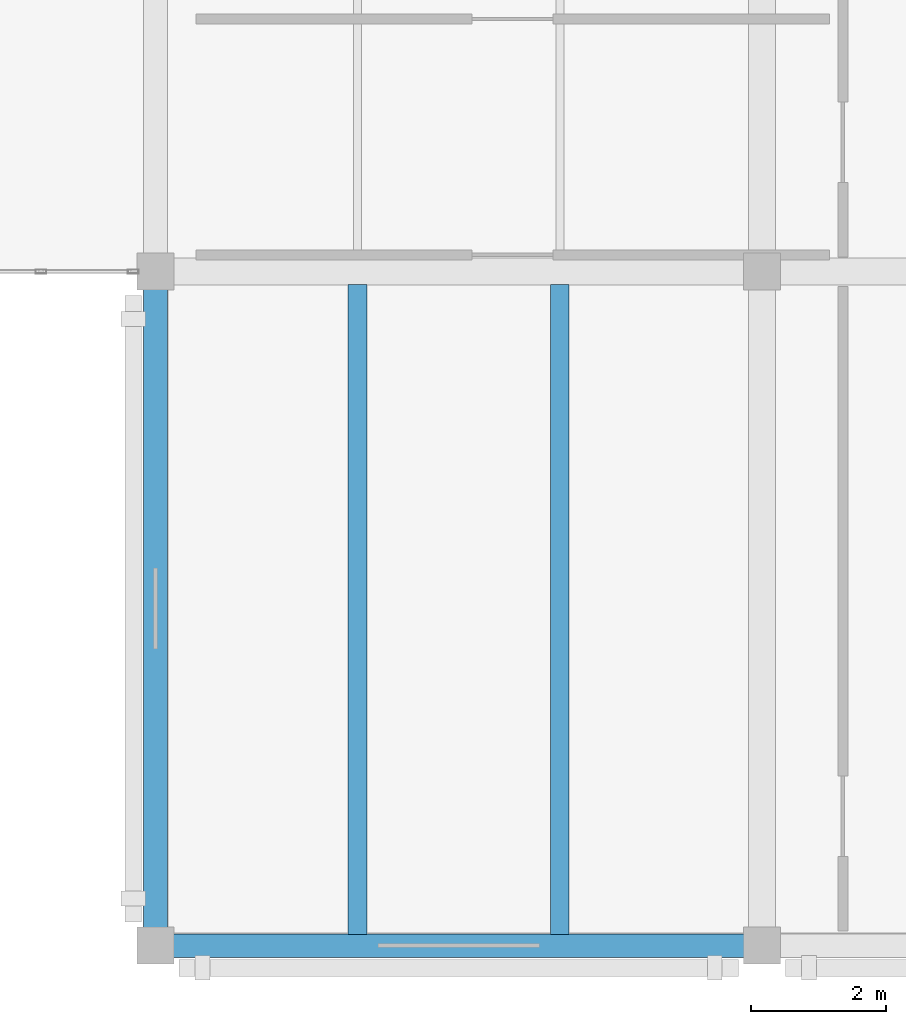
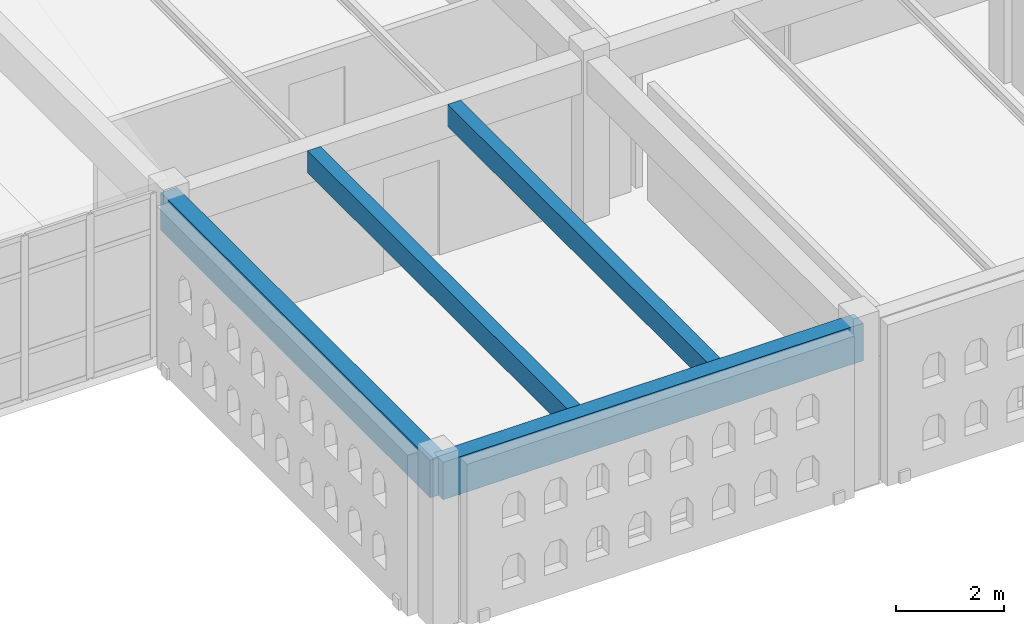
# One storey, part 75 of 156: 4 beams.
"""IFC4 building model written with IfcOpenShell, lengths in metres."""

import ifcopenshell
import ifcopenshell.guid

model = None  # the IFC model being written
_history = None  # IfcOwnerHistory: only IFC2X3 demands one
_inside = {}  # id of a spatial element -> (the spatial element, [elements in it])
_under = {}  # id of a project, library or spatial element -> (it, [spatial elements below it])
_declared = {}  # id of a project -> (the project, [libraries it declares])
_typed = {}  # id of a type object -> (the type object, [elements of that type])
_made_of = {}  # id of a material, layer set ... -> (it, [elements and type objects made of it])


def new_model(schema):
    """Start an empty IFC model of exactly this schema.

    Asked for "IFC4X3", IfcOpenShell would pick the latest addendum, in which some entities
    have other attributes; the version numbers below select the first issue.
    IFC2X3 requires an IfcOwnerHistory on every rooted entity: one is made here for all.
    """
    global model, _history
    if schema == "IFC4X3":
        model = ifcopenshell.file(schema_version=(4, 3, 0, 0))
    else:
        model = ifcopenshell.file(schema=schema)
    _inside.clear()
    _under.clear()
    _declared.clear()
    _typed.clear()
    _made_of.clear()
    _history = None
    if model.schema == "IFC2X3":
        org = make("IfcOrganization", Name="unknown")
        user = make(
            "IfcPersonAndOrganization",
            ThePerson=make("IfcPerson", FamilyName="unknown"),
            TheOrganization=org,
        )
        app = make(
            "IfcApplication",
            ApplicationDeveloper=org,
            Version="unknown",
            ApplicationFullName="unknown",
            ApplicationIdentifier="unknown",
        )
        _history = make(
            "IfcOwnerHistory",
            OwningUser=user,
            OwningApplication=app,
            ChangeAction="ADDED",
            CreationDate=0,
        )
    return model


def make(cls, **values):
    """One entity of the class cls with the attributes given. An attribute that is None is left unset."""
    return model.create_entity(
        cls, **{name: value for name, value in values.items() if value is not None}
    )


def rooted(cls, **values):
    """An entity with a GlobalId (a new one), such as an element, a storey or a relation."""
    return make(cls, GlobalId=ifcopenshell.guid.new(), OwnerHistory=_history, **values)


def si_unit(unit_type, name, prefix=None):
    """IfcSIUnit, for example si_unit("LENGTHUNIT", "METRE", prefix="MILLI")."""
    return make("IfcSIUnit", UnitType=unit_type, Prefix=prefix, Name=name)


def assignment(units):
    """IfcUnitAssignment: the units of a project."""
    return None if units is None else make("IfcUnitAssignment", Units=units)


def point(xyz):
    """IfcCartesianPoint."""
    return None if xyz is None else make("IfcCartesianPoint", Coordinates=xyz)


def direction(xyz):
    """IfcDirection."""
    return None if xyz is None else make("IfcDirection", DirectionRatios=xyz)


def frame(location, z_axis=None, x_axis=None):
    """IfcAxis2Placement3D, a coordinate frame: its origin and axes. An axis left out is left unset."""
    return make(
        "IfcAxis2Placement3D",
        Location=point(location),
        Axis=direction(z_axis),
        RefDirection=direction(x_axis),
    )


def frame_2d(location, x_axis=None):
    """IfcAxis2Placement2D, a coordinate frame in the plane: its origin and x axis."""
    return make(
        "IfcAxis2Placement2D", Location=point(location), RefDirection=direction(x_axis)
    )


def origin():
    """The frame at (0, 0, 0) with its axes left unset."""
    return frame((0.0, 0.0, 0.0))


def origin_2d():
    """The frame at (0, 0) in the plane with its x axis left unset."""
    return frame_2d((0.0, 0.0))


def place(relative_to, where):
    """IfcLocalPlacement: puts the frame where relative to a parent placement (None: the world)."""
    return make(
        "IfcLocalPlacement", PlacementRelTo=relative_to, RelativePlacement=where
    )


def context(
    kind, dimensions, precision=None, world=None, true_north=None, identifier=None
):
    """IfcGeometricRepresentationContext, for example the 3D "Model" context."""
    return make(
        "IfcGeometricRepresentationContext",
        ContextIdentifier=identifier,
        ContextType=kind,
        CoordinateSpaceDimension=dimensions,
        Precision=precision,
        WorldCoordinateSystem=world,
        TrueNorth=true_north,
    )


def subcontext(parent, identifier, kind, view, scale=None):
    """IfcGeometricRepresentationSubContext, for example "Body" below "Model"."""
    return make(
        "IfcGeometricRepresentationSubContext",
        ContextIdentifier=identifier,
        ContextType=kind,
        ParentContext=parent,
        TargetScale=scale,
        TargetView=view,
    )


def project(units=None, contexts=None):
    """IfcProject with its units and contexts."""
    return rooted(
        "IfcProject",
        Name="project",
        RepresentationContexts=contexts,
        UnitsInContext=assignment(units),
    )


def spatial(cls, under=None, at=None, **own):
    """A site, building, storey or space (cls), placed at a placement, below another one or the project."""
    s = rooted(cls, ObjectPlacement=at, **own)
    if under is not None:
        _under.setdefault(under.id(), (under, []))[1].append(s)
    return s


def profile(cls, at=None, kind="AREA", **sizes):
    """A parametric profile (cls). Its sizes go by their IFC names, for example OverallWidth=200.0."""
    return make(cls, ProfileType=kind, Position=at, **sizes)


def rectangle(**sizes):
    """IfcRectangleProfileDef."""
    return profile("IfcRectangleProfileDef", **sizes)


def extrude(swept, where, along, depth):
    """IfcExtrudedAreaSolid: the profile swept, set in the frame where, extruded along a direction by depth."""
    return make(
        "IfcExtrudedAreaSolid",
        SweptArea=swept,
        Position=where,
        ExtrudedDirection=direction(along),
        Depth=depth,
    )


def shape(context_of_items, identifier, shape_type, items):
    """IfcShapeRepresentation: the items that make up one representation, for example the "Body"."""
    return make(
        "IfcShapeRepresentation",
        ContextOfItems=context_of_items,
        RepresentationIdentifier=identifier,
        RepresentationType=shape_type,
        Items=items,
    )


def material(Name=None, Category=None):
    """IfcMaterial."""
    return make("IfcMaterial", Name=Name, Category=Category)


def material_profile(
    of_material, cross_section, Name=None, Category=None, Priority=None
):
    """IfcMaterialProfile: a cross section and its material."""
    return make(
        "IfcMaterialProfile",
        Name=Name,
        Material=of_material,
        Profile=cross_section,
        Priority=Priority,
        Category=Category,
    )


def profile_set(profiles, Name=None, composite=None):
    """IfcMaterialProfileSet."""
    return make(
        "IfcMaterialProfileSet",
        Name=Name,
        MaterialProfiles=profiles,
        CompositeProfile=composite,
    )


def made_of(thing, what):
    """Note that an element or type object is made of a material, layer set ...; save() writes the relation."""
    if what is not None:
        _made_of.setdefault(what.id(), (what, []))[1].append(thing)
    return thing


def type_object(cls, material=None, **own):
    """A type object (cls), such as IfcWallType, which elements share."""
    return made_of(rooted(cls, **own), material)


def element(
    cls,
    number,
    at=None,
    inside=None,
    cuts=None,
    type_object=None,
    material=None,
    context=None,
    identifier="Body",
    shape_type=None,
    held_by="IfcProductDefinitionShape",
    body=None,
    shapes=None,
    **own,
):
    """One element of the class cls, such as IfcWall. Its Tag is "e" and its number.

    at: its placement. inside: the storey or other place that contains it. cuts: it is an
    opening in that element (IfcRelVoidsElement). A single representation is given by context,
    identifier, shape_type and body (its items); several are given by shapes. held_by: the class
    of the entity that holds the representations. save() writes the other relations.
    """
    e = rooted(cls, Tag="e%d" % number, ObjectPlacement=at, **own)
    if body is not None:
        shapes = [shape(context, identifier, shape_type, body)]
    if shapes is not None:
        e.Representation = make(held_by, Representations=shapes)
    if inside is not None:
        _inside.setdefault(inside.id(), (inside, []))[1].append(e)
    if cuts is not None:
        rooted(
            "IfcRelVoidsElement", RelatingBuildingElement=cuts, RelatedOpeningElement=e
        )
    if type_object is not None:
        _typed.setdefault(type_object.id(), (type_object, []))[1].append(e)
    return made_of(e, material)


def aggregate(whole, parts):
    """IfcRelAggregates: a whole, such as a stair, and the parts it consists of."""
    return rooted("IfcRelAggregates", RelatingObject=whole, RelatedObjects=parts)


def save(model, path):
    """Write the relations noted so far, then the file.

    IfcRelAggregates (storeys below a building ...), IfcRelContainedInSpatialStructure (elements
    in a storey), IfcRelDefinesByType, IfcRelAssociatesMaterial and IfcRelDeclares: one each for
    every whole, place, type object, material and project.
    """
    for whole, parts in _under.values():
        aggregate(whole, parts)
    for where, things in _inside.values():
        rooted(
            "IfcRelContainedInSpatialStructure",
            RelatedElements=things,
            RelatingStructure=where,
        )
    for kind, things in _typed.values():
        rooted("IfcRelDefinesByType", RelatedObjects=things, RelatingType=kind)
    for what, things in _made_of.values():
        rooted("IfcRelAssociatesMaterial", RelatedObjects=things, RelatingMaterial=what)
    for by, libraries in _declared.values():
        rooted("IfcRelDeclares", RelatingContext=by, RelatedDefinitions=libraries)
    model.write(path)


model = new_model("IFC4")

# Units and contexts
model_context = context("Model", 3, precision=1e-05, world=origin(), true_north=direction((0.0, 1.0)))
body_context = subcontext(model_context, "Body", "Model", "MODEL_VIEW")
ifc_project = project(units=[si_unit("LENGTHUNIT", "METRE"), si_unit("AREAUNIT", "SQUARE_METRE"), si_unit("VOLUMEUNIT", "CUBIC_METRE"), si_unit("PLANEANGLEUNIT", "RADIAN"), si_unit("MASSUNIT", "GRAM", prefix="KILO")], contexts=[model_context])

# Site, building, storey
site_placement = place(None, origin())
site = spatial("IfcSite", under=ifc_project, at=site_placement, CompositionType="ELEMENT")
building_placement = place(site_placement, origin())
building = spatial("IfcBuilding", under=site, at=building_placement, Name="Ornek Quay Market", CompositionType="ELEMENT")
storey_placement = place(building_placement, frame((0.0, 0.0, 4.5)))
storey = spatial("IfcBuildingStorey", under=building, at=storey_placement, Name="L01", CompositionType="ELEMENT", Elevation=4.5)

# Beams
ifc_material_1 = material(Name="Concrete C35/45", Category="concrete")
ifc_material_profile_1 = material_profile(ifc_material_1, rectangle(XDim=0.280029296875, YDim=0.5, at=origin_2d()), Name="RC 280x500", Category="concrete")
ifc_profile_set_1 = profile_set([ifc_material_profile_1], Name="Concrete C35/45")
beam_type_1 = type_object("IfcBeamType", Name="BM-SEC-280x500", PredefinedType="JOIST", material=ifc_profile_set_1)
for number, where, z_axis, x_axis, name in (
    (1, (156.0, 10.1669921875, 3.39990234375), (0.0, 1.0, 0.0), (-1.0, 0.0, 0.0), "Secondary joist B-SC2-085"),
    (2, (159.0, 10.1669921875, 3.39990234375), (0.0, 1.0, 0.0), (-1.0, 0.0, 0.0), "Secondary joist B-SC2-086"),
):
    element("IfcBeam", number, at=place(storey_placement, frame(where, z_axis=z_axis, x_axis=x_axis)), inside=storey, type_object=beam_type_1, Name=name, PredefinedType="JOIST", context=body_context, shape_type="SweptSolid", body=[
        extrude(rectangle(XDim=0.280029296875, YDim=0.5, at=origin_2d()), origin(), (0.0, 0.0, 1.0), 9.64111328125),
    ])
ifc_material_2 = material(Name="Concrete C40/50", Category="concrete")
ifc_material_profile_2 = material_profile(ifc_material_2, rectangle(XDim=0.35009765625, YDim=0.85009765625, at=origin_2d()), Name="RC 350x850", Category="concrete")
ifc_profile_set_2 = profile_set([ifc_material_profile_2], Name="Concrete C40/50")
beam_type_2 = type_object("IfcBeamType", Name="BM-SPN-350x850", PredefinedType="SPANDREL", material=ifc_profile_set_2)
beam_1_placement = place(storey_placement, frame((153.0, 10.0, 3.22509765625), z_axis=(1.0, 0.0, 0.0), x_axis=(0.0, 1.0, 0.0)))
element("IfcBeam", 3, at=beam_1_placement, inside=storey, type_object=beam_type_2, Name="Primary beam B-SP1-131", PredefinedType="SPANDREL", context=body_context, shape_type="SweptSolid", body=[
    extrude(rectangle(XDim=0.35009765625, YDim=0.85009765625, at=origin_2d()), origin(), (0.0, 0.0, 1.0), 9.0),
])
beam_2_placement = place(storey_placement, frame((153.0, 10.0, 3.22509765625), z_axis=(0.0, 1.0, 0.0), x_axis=(-1.0, 0.0, 0.0)))
element("IfcBeam", 4, at=beam_2_placement, inside=storey, type_object=beam_type_2, Name="Primary beam B-SP1-134", PredefinedType="SPANDREL", context=body_context, shape_type="SweptSolid", body=[
    extrude(rectangle(XDim=0.35009765625, YDim=0.85009765625, at=origin_2d()), origin(), (0.0, 0.0, 1.0), 10.0),
])

save(model, "model.ifc")
